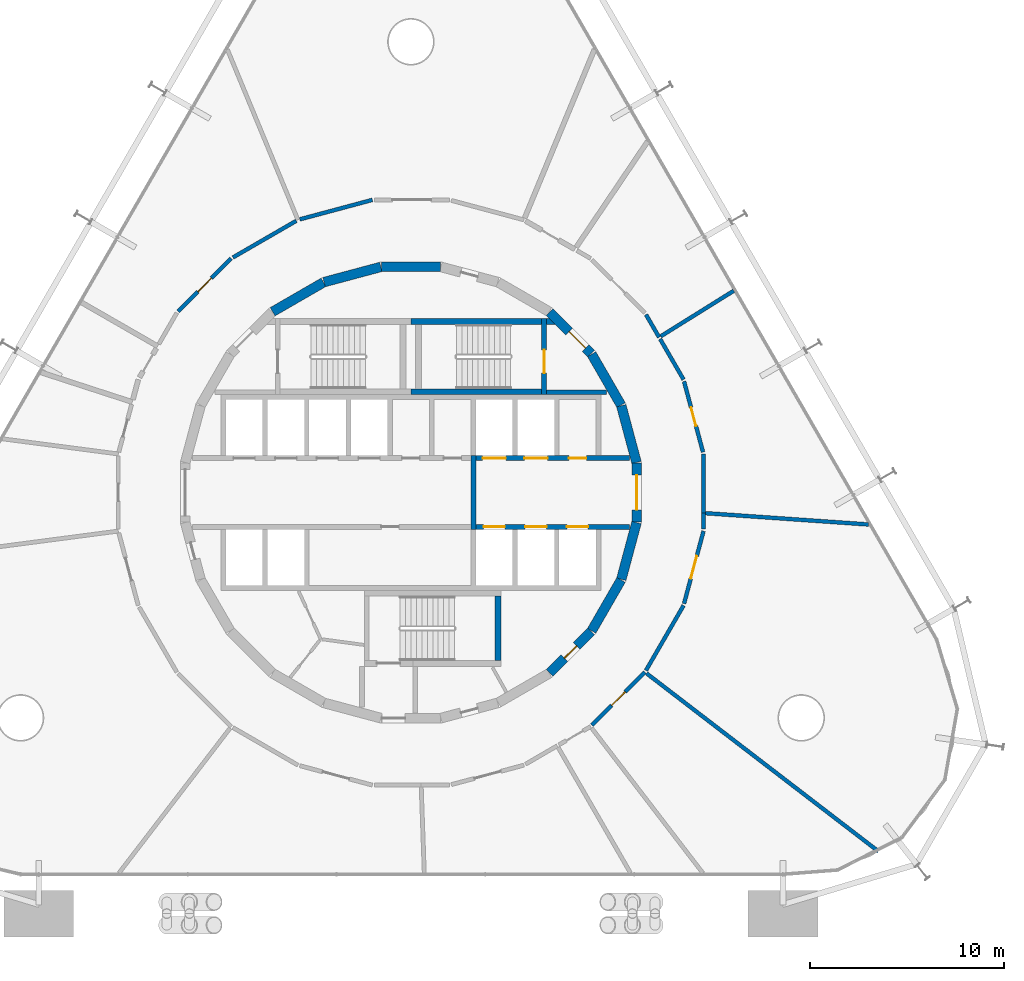
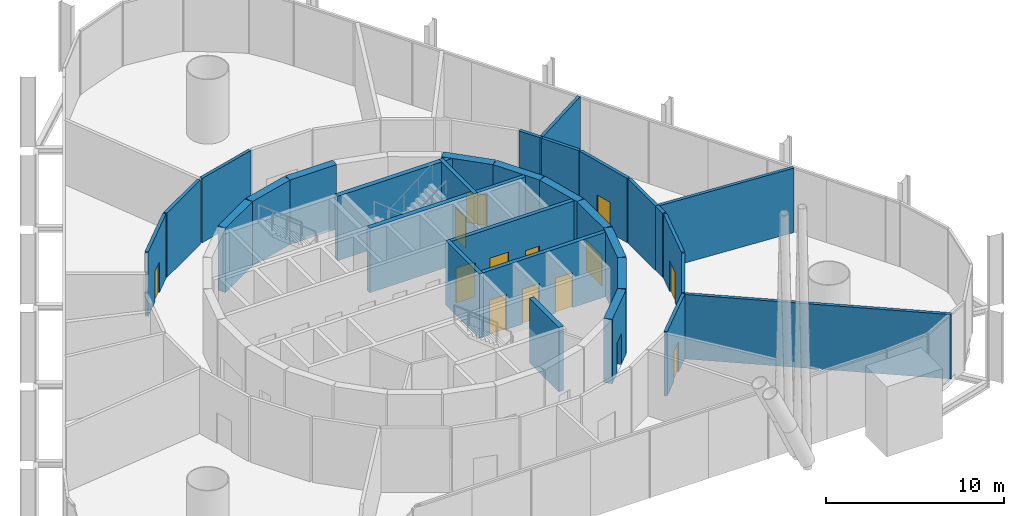
# One storey, part 15 of 17: 33 walls, 14 doors, 14 openings.
"""IFC4 building model written with IfcOpenShell, lengths in metres."""

from ifc_helpers import new_model, si_unit, direction, frame, frame_2d, origin, place, context, subcontext, project, spatial, polyline, rectangle, outline, extrude, material, layer, layer_set, type_object, element, fill, save


model = new_model("IFC4")

# Units and contexts
model_context = context("Model", 3, precision=1e-05, world=origin(), true_north=direction((0.0, 1.0)))
body_context = subcontext(model_context, "Body", "Model", "MODEL_VIEW")
ifc_project = project(units=[si_unit("LENGTHUNIT", "METRE"), si_unit("AREAUNIT", "SQUARE_METRE"), si_unit("VOLUMEUNIT", "CUBIC_METRE"), si_unit("PLANEANGLEUNIT", "RADIAN"), si_unit("MASSUNIT", "GRAM", prefix="KILO")], contexts=[model_context])

# Site, building, storey
site_placement = place(None, origin())
site = spatial("IfcSite", under=ifc_project, at=site_placement, CompositionType="ELEMENT")
building_placement = place(site_placement, origin())
building = spatial("IfcBuilding", under=site, at=building_placement, Name="Spindle Arch Residences", CompositionType="ELEMENT")
storey_placement = place(building_placement, frame((0.0, 0.0, 13.800048828125)))
storey = spatial("IfcBuildingStorey", under=building, at=storey_placement, Name="L02", CompositionType="ELEMENT", Elevation=13.800048828125)

# Wall, opening, door
ifc_material_1 = material(Name="Concrete C50/60", Category="concrete")
ifc_layer_1 = layer(ifc_material_1, 0.5)
ifc_layer_set_1 = layer_set([ifc_layer_1], Name="Core outline wall 500")
wall_type_1 = type_object("IfcWallType", Name="Core outline wall 500", PredefinedType="SHEAR", material=ifc_layer_set_1)
wall_1_placement = place(storey_placement, frame((7.163818359375, -9.30810546875, 0.0), z_axis=(0.0, 0.0, 1.0), x_axis=(0.707106781187, 0.707106781187, 0.0)))
wall_1 = element("IfcWall", 1, at=wall_1_placement, inside=storey, type_object=wall_type_1, Name="Core outline wall 3", PredefinedType="SHEAR", context=body_context, shape_type="SweptSolid", body=[
    extrude(rectangle(XDim=3.032470703125, YDim=0.5, at=frame_2d((1.51611328125, 0.0))), origin(), (0.0, 0.0, 1.0), 4.419921875),
])
opening_1_placement = place(wall_1_placement, frame((1.06640625, 0.0, 0.0)))
opening_1 = element("IfcOpeningElement", 2, at=opening_1_placement, cuts=wall_1, Name="Opening L02-WD07", PredefinedType="OPENING", context=body_context, shape_type="SweptSolid", body=[
    extrude(rectangle(XDim=0.89990234375, YDim=2.10009765625, at=frame_2d((0.449951171875, 1.050048828125))), frame((0.0, 0.260009765625, 0.0), z_axis=(0.0, -1.0, 0.0), x_axis=(1.0, 0.0, 0.0)), (0.0, 0.0, 1.0), 0.52001953125),
])
ifc_material_2 = material(Name="Steel, fire-resisting door", Category="steel")
door_type_1 = type_object("IfcDoorType", Name="Service room door 900x2100", OperationType="SINGLE_SWING_LEFT", PredefinedType="DOOR", material=ifc_material_2)
door_1_placement = place(opening_1_placement, origin())
door_1 = element("IfcDoor", 3, at=door_1_placement, inside=storey, type_object=door_type_1, Name="Service room door L02-WD07", OperationType="SINGLE_SWING_RIGHT", OverallHeight=2.10009765625, OverallWidth=0.89990234375, PredefinedType="DOOR", context=body_context, shape_type="SweptSolid", body=[
    extrude(rectangle(XDim=0.89990234375, YDim=2.10009765625, at=frame_2d((0.449951171875, 1.050048828125))), frame((0.0, 0.02490234375, 0.0), z_axis=(0.0, -1.0, 0.0), x_axis=(1.0, 0.0, 0.0)), (0.0, 0.0, 1.0), 0.050048828125),
])
fill(opening_1, door_1)

# Walls
for number, where, z_axis, x_axis, name in (
    (4, (9.32861328125, -7.13671875, 0.0), (0.0, 0.0, 1.0), (0.500087131594, 0.865975092491, 0.0), "Core outline wall 4"),
    (5, (10.858154296875, -4.479248046875, 0.0), (0.0, 0.0, 1.0), (0.258734743916, 0.965948410781, 0.0), "Core outline wall 5"),
):
    element("IfcWall", number, at=place(storey_placement, frame(where, z_axis=z_axis, x_axis=x_axis)), inside=storey, type_object=wall_type_1, Name=name, PredefinedType="SHEAR", context=body_context, shape_type="SweptSolid", body=[
        extrude(rectangle(XDim=3.03271484375, YDim=0.5, at=frame_2d((1.516357421875, 0.0))), origin(), (0.0, 0.0, 1.0), 4.419921875),
    ])

# Wall, opening, door
wall_2_placement = place(storey_placement, frame((11.647216796875, -1.516357421875, 0.0), z_axis=(0.0, 0.0, 1.0), x_axis=(0.0, 1.0, 0.0)))
wall_2 = element("IfcWall", 6, at=wall_2_placement, inside=storey, type_object=wall_type_1, Name="Core outline wall 6", PredefinedType="SHEAR", context=body_context, shape_type="SweptSolid", body=[
    extrude(rectangle(XDim=3.03271484375, YDim=0.5, at=frame_2d((1.516357421875, 0.0))), origin(), (0.0, 0.0, 1.0), 4.419921875),
])
opening_2_placement = place(wall_2_placement, frame((0.6162109375, 0.0, 0.0)))
opening_2 = element("IfcOpeningElement", 7, at=opening_2_placement, cuts=wall_2, Name="Opening L02-FE01", PredefinedType="OPENING", context=body_context, shape_type="SweptSolid", body=[
    extrude(rectangle(XDim=1.800048828125, YDim=2.10009765625, at=frame_2d((0.89990234375, 1.050048828125))), frame((0.0, 0.260009765625, 0.0), z_axis=(0.0, -1.0, 0.0), x_axis=(1.0, 0.0, 0.0)), (0.0, 0.0, 1.0), 0.52001953125),
])
ifc_material_3 = material(Name="Steel, fire-resisting door", Category="steel")
door_type_2 = type_object("IfcDoorType", Name="Fire-lift lobby door 1800x2100", OperationType="DOUBLE_DOOR_SINGLE_SWING", PredefinedType="DOOR", material=ifc_material_3)
door_2_placement = place(opening_2_placement, origin())
door_2 = element("IfcDoor", 8, at=door_2_placement, inside=storey, type_object=door_type_2, Name="Fire-lift lobby door L02-FE01", OperationType="DOUBLE_DOOR_SINGLE_SWING", OverallHeight=2.10009765625, OverallWidth=1.800048828125, PredefinedType="DOOR", context=body_context, shape_type="SweptSolid", body=[
    extrude(rectangle(XDim=1.800048828125, YDim=2.10009765625, at=frame_2d((0.89990234375, 1.050048828125))), frame((0.0, 0.02490234375, 0.0), z_axis=(0.0, -1.0, 0.0), x_axis=(1.0, 0.0, 0.0)), (0.0, 0.0, 1.0), 0.050048828125),
])
fill(opening_2, door_2)

# Walls
for number, where, z_axis, x_axis, name in (
    (9, (11.642822265625, 1.5498046875, 0.0), (0.0, 0.0, 1.0), (-0.258734743916, 0.965948410781, 0.0), "Core outline wall 7"),
    (10, (10.84521484375, 4.510498046875, 0.0), (0.0, 0.0, 1.0), (-0.500087131594, 0.865975092491, 0.0), "Core outline wall 8"),
):
    element("IfcWall", number, at=place(storey_placement, frame(where, z_axis=z_axis, x_axis=x_axis)), inside=storey, type_object=wall_type_1, Name=name, PredefinedType="SHEAR", context=body_context, shape_type="SweptSolid", body=[
        extrude(rectangle(XDim=3.03271484375, YDim=0.5, at=frame_2d((1.516357421875, 0.0))), origin(), (0.0, 0.0, 1.0), 4.419921875),
    ])

# Wall, opening, door
wall_3_placement = place(storey_placement, frame((9.30810546875, 7.163818359375, 0.0), z_axis=(0.0, 0.0, 1.0), x_axis=(-0.707106781187, 0.707106781187, 0.0)))
wall_3 = element("IfcWall", 11, at=wall_3_placement, inside=storey, type_object=wall_type_1, Name="Core outline wall 9", PredefinedType="SHEAR", context=body_context, shape_type="SweptSolid", body=[
    extrude(rectangle(XDim=3.032470703125, YDim=0.5, at=frame_2d((1.51611328125, 0.0))), origin(), (0.0, 0.0, 1.0), 4.419921875),
])
opening_3_placement = place(wall_3_placement, frame((0.416259765625, 0.0, 0.0)))
opening_3 = element("IfcOpeningElement", 12, at=opening_3_placement, cuts=wall_3, Name="Opening L02-AD01", PredefinedType="OPENING", context=body_context, shape_type="SweptSolid", body=[
    extrude(rectangle(XDim=1.199951171875, YDim=2.10009765625, at=frame_2d((0.60009765625, 1.050048828125))), frame((0.0, 0.260009765625, 0.0), z_axis=(0.0, -1.0, 0.0), x_axis=(1.0, 0.0, 0.0)), (0.0, 0.0, 1.0), 0.52001953125),
])
ifc_material_4 = material(Name="Steel, fire-resisting door", Category="steel")
door_type_3 = type_object("IfcDoorType", Name="Stair airlock door 1200x2100", OperationType="SINGLE_SWING_LEFT", PredefinedType="DOOR", material=ifc_material_4)
door_3_placement = place(opening_3_placement, origin())
door_3 = element("IfcDoor", 13, at=door_3_placement, inside=storey, type_object=door_type_3, Name="Stair airlock door L02-AD01", OperationType="SINGLE_SWING_RIGHT", OverallHeight=2.10009765625, OverallWidth=1.199951171875, PredefinedType="DOOR", context=body_context, shape_type="SweptSolid", body=[
    extrude(rectangle(XDim=1.199951171875, YDim=2.10009765625, at=frame_2d((0.60009765625, 1.050048828125))), frame((0.0, 0.02490234375, 0.0), z_axis=(0.0, -1.0, 0.0), x_axis=(1.0, 0.0, 0.0)), (0.0, 0.0, 1.0), 0.050048828125),
])
fill(opening_3, door_3)

# Walls
for number, where, z_axis, x_axis, name in (
    (14, (1.516357421875, 11.647216796875, 0.0), (0.0, 0.0, 1.0), (-1.0, 0.0, 0.0), "Core outline wall 12"),
    (15, (-1.5498046875, 11.642822265625, 0.0), (0.0, 0.0, 1.0), (-0.965948410781, -0.258734743916, 0.0), "Core outline wall 13"),
    (16, (-4.510498046875, 10.84521484375, 0.0), (0.0, 0.0, 1.0), (-0.865975092491, -0.500087131594, 0.0), "Core outline wall 14"),
):
    element("IfcWall", number, at=place(storey_placement, frame(where, z_axis=z_axis, x_axis=x_axis)), inside=storey, type_object=wall_type_1, Name=name, PredefinedType="SHEAR", context=body_context, shape_type="SweptSolid", body=[
        extrude(rectangle(XDim=3.03271484375, YDim=0.5, at=frame_2d((1.516357421875, 0.0))), origin(), (0.0, 0.0, 1.0), 4.419921875),
    ])

# Wall, openings, doors
ifc_material_5 = material(Name="Concrete C40/50", Category="concrete")
ifc_layer_2 = layer(ifc_material_5, 0.25)
ifc_layer_set_2 = layer_set([ifc_layer_2], Name="Fire-lift lobby wall 250")
wall_type_2 = type_object("IfcWallType", Name="Fire-lift lobby wall 250", PredefinedType="SHEAR", material=ifc_layer_set_2)
wall_4_placement = place(storey_placement, frame((3.35009765625, 1.77490234375, 0.0), z_axis=(0.0, 0.0, 1.0), x_axis=(1.0, 0.0, 0.0)))
wall_4 = element("IfcWall", 17, at=wall_4_placement, inside=storey, type_object=wall_type_2, Name="Lift shaft front wall NE", PredefinedType="SHEAR", context=body_context, shape_type="SweptSolid", body=[
    extrude(rectangle(XDim=7.929931640625, YDim=0.25, at=frame_2d((3.96484375, 0.0))), origin(), (0.0, 0.0, 1.0), 4.419921875),
])
opening_4_placement = place(wall_4_placement, frame((0.35009765625, 0.0, 0.0)))
opening_4 = element("IfcOpeningElement", 18, at=opening_4_placement, cuts=wall_4, Name="Opening L02-SLD01", PredefinedType="OPENING", context=body_context, shape_type="SweptSolid", body=[
    extrude(rectangle(XDim=1.199951171875, YDim=2.39990234375, at=frame_2d((0.60009765625, 1.199951171875))), frame((0.0, 0.135009765625, 0.0), z_axis=(0.0, -1.0, 0.0), x_axis=(1.0, 0.0, 0.0)), (0.0, 0.0, 1.0), 0.27001953125),
])
opening_5_placement = place(wall_4_placement, frame((2.5, 0.0, 0.0)))
opening_5 = element("IfcOpeningElement", 19, at=opening_5_placement, cuts=wall_4, Name="Opening L02-SLD02", PredefinedType="OPENING", context=body_context, shape_type="SweptSolid", body=[
    extrude(rectangle(XDim=1.199951171875, YDim=2.39990234375, at=frame_2d((0.60009765625, 1.199951171875))), frame((0.0, 0.135009765625, 0.0), z_axis=(0.0, -1.0, 0.0), x_axis=(1.0, 0.0, 0.0)), (0.0, 0.0, 1.0), 0.27001953125),
])
opening_6_placement = place(wall_4_placement, frame((4.800048828125, 0.0, 0.0)))
opening_6 = element("IfcOpeningElement", 20, at=opening_6_placement, cuts=wall_4, Name="Opening L02-WD03", PredefinedType="OPENING", context=body_context, shape_type="SweptSolid", body=[
    extrude(rectangle(XDim=0.89990234375, YDim=2.10009765625, at=frame_2d((0.449951171875, 1.050048828125))), frame((0.0, 0.135009765625, 0.0), z_axis=(0.0, -1.0, 0.0), x_axis=(1.0, 0.0, 0.0)), (0.0, 0.0, 1.0), 0.27001953125),
])
ifc_material_6 = material(Name="Steel, fire-resisting landing door", Category="steel")
door_type_4 = type_object("IfcDoorType", Name="Service lift landing door 1200x2400", OperationType="DOUBLE_DOOR_SLIDING", PredefinedType="DOOR", material=ifc_material_6)
door_4_placement = place(opening_4_placement, origin())
door_4 = element("IfcDoor", 21, at=door_4_placement, inside=storey, type_object=door_type_4, Name="Service lift landing door L02-SLD01", OperationType="DOUBLE_DOOR_SLIDING", OverallHeight=2.39990234375, OverallWidth=1.199951171875, PredefinedType="DOOR", context=body_context, shape_type="SweptSolid", body=[
    extrude(rectangle(XDim=1.199951171875, YDim=2.39990234375, at=frame_2d((0.60009765625, 1.199951171875))), frame((0.0, 0.02490234375, 0.0), z_axis=(0.0, -1.0, 0.0), x_axis=(1.0, 0.0, 0.0)), (0.0, 0.0, 1.0), 0.050048828125),
])
fill(opening_4, door_4)
door_5_placement = place(opening_5_placement, origin())
door_5 = element("IfcDoor", 22, at=door_5_placement, inside=storey, type_object=door_type_4, Name="Service lift landing door L02-SLD02", OperationType="DOUBLE_DOOR_SLIDING", OverallHeight=2.39990234375, OverallWidth=1.199951171875, PredefinedType="DOOR", context=body_context, shape_type="SweptSolid", body=[
    extrude(rectangle(XDim=1.199951171875, YDim=2.39990234375, at=frame_2d((0.60009765625, 1.199951171875))), frame((0.0, 0.02490234375, 0.0), z_axis=(0.0, -1.0, 0.0), x_axis=(1.0, 0.0, 0.0)), (0.0, 0.0, 1.0), 0.050048828125),
])
fill(opening_5, door_5)
door_6_placement = place(opening_6_placement, origin())
door_6 = element("IfcDoor", 23, at=door_6_placement, inside=storey, type_object=door_type_1, Name="Service room door L02-WD03", OperationType="SINGLE_SWING_RIGHT", OverallHeight=2.10009765625, OverallWidth=0.89990234375, PredefinedType="DOOR", context=body_context, shape_type="SweptSolid", body=[
    extrude(rectangle(XDim=0.89990234375, YDim=2.10009765625, at=frame_2d((0.449951171875, 1.050048828125))), frame((0.0, 0.02490234375, 0.0), z_axis=(0.0, -1.0, 0.0), x_axis=(1.0, 0.0, 0.0)), (0.0, 0.0, 1.0), 0.050048828125),
])
fill(opening_6, door_6)

# Wall
wall_5_placement = place(storey_placement, frame((3.22509765625, -1.89990234375, 0.0), z_axis=(0.0, 0.0, 1.0), x_axis=(0.0, 1.0, 0.0)))
element("IfcWall", 24, at=wall_5_placement, inside=storey, type_object=wall_type_2, Name="Fire-fighting lobby partition", PredefinedType="SHEAR", context=body_context, shape_type="SweptSolid", body=[
    extrude(rectangle(XDim=3.7998046875, YDim=0.25, at=frame_2d((1.89990234375, 0.0))), origin(), (0.0, 0.0, 1.0), 4.419921875),
])

# Wall, openings, doors
ifc_material_7 = material(Name="Concrete C50/60", Category="concrete")
ifc_layer_3 = layer(ifc_material_7, 0.25)
ifc_layer_set_3 = layer_set([ifc_layer_3], Name="Fire-lift shaft wall 250")
wall_type_3 = type_object("IfcWallType", Name="Fire-lift shaft wall 250", PredefinedType="SHEAR", material=ifc_layer_set_3)
wall_6_placement = place(storey_placement, frame((3.35009765625, -1.77490234375, 0.0), z_axis=(0.0, 0.0, 1.0), x_axis=(1.0, 0.0, 0.0)))
wall_6 = element("IfcWall", 25, at=wall_6_placement, inside=storey, type_object=wall_type_3, Name="Lift shaft front wall SE", PredefinedType="SHEAR", context=body_context, shape_type="SweptSolid", body=[
    extrude(rectangle(XDim=7.929931640625, YDim=0.25, at=frame_2d((3.96484375, 0.0))), origin(), (0.0, 0.0, 1.0), 4.419921875),
])
opening_7_placement = place(wall_6_placement, frame((0.39990234375, 0.0, 0.0)))
opening_7 = element("IfcOpeningElement", 26, at=opening_7_placement, cuts=wall_6, Name="Opening L02-FLD01", PredefinedType="OPENING", context=body_context, shape_type="SweptSolid", body=[
    extrude(rectangle(XDim=1.10009765625, YDim=2.39990234375, at=frame_2d((0.550048828125, 1.199951171875))), frame((0.0, 0.135009765625, 0.0), z_axis=(0.0, -1.0, 0.0), x_axis=(1.0, 0.0, 0.0)), (0.0, 0.0, 1.0), 0.27001953125),
])
opening_8_placement = place(wall_6_placement, frame((2.550048828125, 0.0, 0.0)))
opening_8 = element("IfcOpeningElement", 27, at=opening_8_placement, cuts=wall_6, Name="Opening L02-FLD02", PredefinedType="OPENING", context=body_context, shape_type="SweptSolid", body=[
    extrude(rectangle(XDim=1.10009765625, YDim=2.39990234375, at=frame_2d((0.550048828125, 1.199951171875))), frame((0.0, 0.135009765625, 0.0), z_axis=(0.0, -1.0, 0.0), x_axis=(1.0, 0.0, 0.0)), (0.0, 0.0, 1.0), 0.27001953125),
])
opening_9_placement = place(wall_6_placement, frame((4.699951171875, 0.0, 0.0)))
opening_9 = element("IfcOpeningElement", 28, at=opening_9_placement, cuts=wall_6, Name="Opening L02-FLD03", PredefinedType="OPENING", context=body_context, shape_type="SweptSolid", body=[
    extrude(rectangle(XDim=1.10009765625, YDim=2.39990234375, at=frame_2d((0.550048828125, 1.199951171875))), frame((0.0, 0.135009765625, 0.0), z_axis=(0.0, -1.0, 0.0), x_axis=(1.0, 0.0, 0.0)), (0.0, 0.0, 1.0), 0.27001953125),
])
ifc_material_8 = material(Name="Steel, fire-resisting landing door", Category="steel")
door_type_5 = type_object("IfcDoorType", Name="Fire-fighting lift landing door 1100x2400", OperationType="DOUBLE_DOOR_SLIDING", PredefinedType="DOOR", material=ifc_material_8)
door_7_placement = place(opening_7_placement, origin())
door_7 = element("IfcDoor", 29, at=door_7_placement, inside=storey, type_object=door_type_5, Name="Fire-fighting lift landing door L02-FLD01", OperationType="DOUBLE_DOOR_SLIDING", OverallHeight=2.39990234375, OverallWidth=1.10009765625, PredefinedType="DOOR", context=body_context, shape_type="SweptSolid", body=[
    extrude(rectangle(XDim=1.10009765625, YDim=2.39990234375, at=frame_2d((0.550048828125, 1.199951171875))), frame((0.0, 0.02490234375, 0.0), z_axis=(0.0, -1.0, 0.0), x_axis=(1.0, 0.0, 0.0)), (0.0, 0.0, 1.0), 0.050048828125),
])
fill(opening_7, door_7)
door_8_placement = place(opening_8_placement, origin())
door_8 = element("IfcDoor", 30, at=door_8_placement, inside=storey, type_object=door_type_5, Name="Fire-fighting lift landing door L02-FLD02", OperationType="DOUBLE_DOOR_SLIDING", OverallHeight=2.39990234375, OverallWidth=1.10009765625, PredefinedType="DOOR", context=body_context, shape_type="SweptSolid", body=[
    extrude(rectangle(XDim=1.10009765625, YDim=2.39990234375, at=frame_2d((0.550048828125, 1.199951171875))), frame((0.0, 0.02490234375, 0.0), z_axis=(0.0, -1.0, 0.0), x_axis=(1.0, 0.0, 0.0)), (0.0, 0.0, 1.0), 0.050048828125),
])
fill(opening_8, door_8)
door_9_placement = place(opening_9_placement, origin())
door_9 = element("IfcDoor", 31, at=door_9_placement, inside=storey, type_object=door_type_5, Name="Fire-fighting lift landing door L02-FLD03", OperationType="DOUBLE_DOOR_SLIDING", OverallHeight=2.39990234375, OverallWidth=1.10009765625, PredefinedType="DOOR", context=body_context, shape_type="SweptSolid", body=[
    extrude(rectangle(XDim=1.10009765625, YDim=2.39990234375, at=frame_2d((0.550048828125, 1.199951171875))), frame((0.0, 0.02490234375, 0.0), z_axis=(0.0, -1.0, 0.0), x_axis=(1.0, 0.0, 0.0)), (0.0, 0.0, 1.0), 0.050048828125),
])
fill(opening_9, door_9)

# Wall, opening, door
ifc_material_9 = material(Name="Gypsum board partition on steel studs", Category="steel")
ifc_layer_4 = layer(ifc_material_9, 0.199951171875)
ifc_layer_set_4 = layer_set([ifc_layer_4], Name="Partition EI 60 200 amenity")
wall_type_4 = type_object("IfcWallType", Name="Partition EI 60 200 amenity", PredefinedType="PARTITIONING", material=ifc_layer_set_4)
wall_7_placement = place(storey_placement, frame((-9.27001953125, 12.080078125, 0.0), z_axis=(0.0, 0.0, 1.0), x_axis=(-0.707106781187, -0.707106781187, 0.0)))
wall_7 = element("IfcWall", 32, at=wall_7_placement, inside=storey, type_object=wall_type_4, Name="L02-W015", PredefinedType="PARTITIONING", context=body_context, shape_type="SweptSolid", body=[
    extrude(rectangle(XDim=3.873779296875, YDim=0.199951171875, at=frame_2d((1.93701171875, 0.0))), origin(), (0.0, 0.0, 1.0), 4.419921875),
])
opening_10_placement = place(wall_7_placement, frame((1.43701171875, 0.0, 0.0)))
opening_10 = element("IfcOpeningElement", 33, at=opening_10_placement, cuts=wall_7, Name="Opening L02-D12", PredefinedType="OPENING", context=body_context, shape_type="SweptSolid", body=[
    extrude(rectangle(XDim=1.0, YDim=2.10009765625, at=frame_2d((0.5, 1.050048828125))), frame((0.0, 0.10986328125, 0.0), z_axis=(0.0, -1.0, 0.0), x_axis=(1.0, 0.0, 0.0)), (0.0, 0.0, 1.0), 0.219970703125),
])
ifc_material_10 = material(Name="Timber door leaf", Category="wood")
door_type_6 = type_object("IfcDoorType", Name="Door 1000x2100 EI 30", OperationType="SINGLE_SWING_LEFT", PredefinedType="DOOR", material=ifc_material_10)
door_10_placement = place(opening_10_placement, origin())
door_10 = element("IfcDoor", 34, at=door_10_placement, inside=storey, type_object=door_type_6, Name="L02-D12", OperationType="SINGLE_SWING_LEFT", OverallHeight=2.10009765625, OverallWidth=1.0, PredefinedType="DOOR", context=body_context, shape_type="SweptSolid", body=[
    extrude(rectangle(XDim=1.0, YDim=2.10009765625, at=frame_2d((0.5, 1.050048828125))), frame((0.0, 0.02490234375, 0.0), z_axis=(0.0, -1.0, 0.0), x_axis=(1.0, 0.0, 0.0)), (0.0, 0.0, 1.0), 0.050048828125),
])
fill(opening_10, door_10)

# Walls
wall_8_placement = place(storey_placement, frame((-5.91650390625, 14.02001953125, 0.0), z_axis=(0.0, 0.0, 1.0), x_axis=(-0.865591582237, -0.500750649286, 0.0)))
element("IfcWall", 35, at=wall_8_placement, inside=storey, type_object=wall_type_4, Name="L02-W018", PredefinedType="PARTITIONING", context=body_context, shape_type="SweptSolid", body=[
    extrude(rectangle(XDim=3.774169921875, YDim=0.199951171875, at=frame_2d((1.88720703125, 0.0))), origin(), (0.0, 0.0, 1.0), 4.419921875),
])
wall_9_placement = place(storey_placement, frame((-1.989990234375, 15.10009765625, 0.0), z_axis=(0.0, 0.0, 1.0), x_axis=(-0.96585437197, -0.259085569159, 0.0)))
element("IfcWall", 36, at=wall_9_placement, inside=storey, type_object=wall_type_4, Name="L02-W020", PredefinedType="PARTITIONING", context=body_context, shape_type="SweptSolid", body=[
    extrude(rectangle(XDim=3.875732421875, YDim=0.199951171875, at=frame_2d((1.93798828125, 0.0))), origin(), (0.0, 0.0, 1.0), 4.419921875),
])

# Wall, opening, door
wall_10_placement = place(storey_placement, frame((9.3408203125, -12.00927734375, 0.0), z_axis=(0.0, 0.0, 1.0), x_axis=(0.707106781187, 0.707106781187, 0.0)))
wall_10 = element("IfcWall", 37, at=wall_10_placement, inside=storey, type_object=wall_type_4, Name="L02-W031", PredefinedType="PARTITIONING", context=body_context, shape_type="SweptSolid", body=[
    extrude(rectangle(XDim=3.873779296875, YDim=0.199951171875, at=frame_2d((1.93701171875, 0.0))), origin(), (0.0, 0.0, 1.0), 4.419921875),
])
opening_11_placement = place(wall_10_placement, frame((1.43701171875, 0.0, 0.0)))
opening_11 = element("IfcOpeningElement", 38, at=opening_11_placement, cuts=wall_10, Name="Opening L02-D04", PredefinedType="OPENING", context=body_context, shape_type="SweptSolid", body=[
    extrude(rectangle(XDim=1.0, YDim=2.10009765625, at=frame_2d((0.5, 1.050048828125))), frame((0.0, 0.10986328125, 0.0), z_axis=(0.0, -1.0, 0.0), x_axis=(1.0, 0.0, 0.0)), (0.0, 0.0, 1.0), 0.219970703125),
])
door_11_placement = place(opening_11_placement, origin())
door_11 = element("IfcDoor", 39, at=door_11_placement, inside=storey, type_object=door_type_6, Name="L02-D04", OperationType="SINGLE_SWING_LEFT", OverallHeight=2.10009765625, OverallWidth=1.0, PredefinedType="DOOR", context=body_context, shape_type="SweptSolid", body=[
    extrude(rectangle(XDim=1.0, YDim=2.10009765625, at=frame_2d((0.5, 1.050048828125))), frame((0.0, 0.02490234375, 0.0), z_axis=(0.0, -1.0, 0.0), x_axis=(1.0, 0.0, 0.0)), (0.0, 0.0, 1.0), 0.050048828125),
])
fill(opening_11, door_11)

# Walls
wall_11_placement = place(storey_placement, frame((12.130126953125, -9.183349609375, 0.0), z_axis=(0.0, 0.0, 1.0), x_axis=(0.500760497952, 0.865585884642, 0.0)))
element("IfcWall", 40, at=wall_11_placement, inside=storey, type_object=wall_type_4, Name="L02-W035", PredefinedType="PARTITIONING", context=body_context, shape_type="SweptSolid", body=[
    extrude(rectangle(XDim=3.8740234375, YDim=0.199951171875, at=frame_2d((1.93701171875, 0.0))), origin(), (0.0, 0.0, 1.0), 4.419921875),
])
wall_12_placement = place(storey_placement, frame((12.159423828125, -9.330810546875, 0.0), z_axis=(0.0, 0.0, 1.0), x_axis=(0.793226820575, -0.608926277246, 0.0)))
element("IfcWall", 41, at=wall_12_placement, inside=storey, type_object=wall_type_4, Name="L02-W036", PredefinedType="PARTITIONING", context=body_context, shape_type="SweptSolid", body=[
    extrude(rectangle(XDim=15.0908203125, YDim=0.199951171875, at=frame_2d((7.54541015625, 0.0))), origin(), (0.0, 0.0, 1.0), 4.419921875),
])
wall_13_placement = place(storey_placement, frame((12.81005859375, 8.010009765625, 0.0), z_axis=(0.0, 0.0, 1.0), x_axis=(-0.501305875941, 0.865270142064, 0.0)))
element("IfcWall", 42, at=wall_13_placement, inside=storey, type_object=wall_type_4, Name="L02-W038", PredefinedType="PARTITIONING", context=body_context, shape_type="SweptSolid", body=[
    extrude(rectangle(XDim=1.356201171875, YDim=0.199951171875, at=frame_2d((0.67822265625, 0.0))), origin(), (0.0, 0.0, 1.0), 4.419921875),
])
wall_14_placement = place(storey_placement, frame((12.894775390625, 8.06298828125, 0.0), z_axis=(0.0, 0.0, 1.0), x_axis=(0.848634527268, 0.528979620712, 0.0)))
element("IfcWall", 43, at=wall_14_placement, inside=storey, type_object=wall_type_4, Name="L02-W039", PredefinedType="PARTITIONING", context=body_context, shape_type="SweptSolid", body=[
    extrude(rectangle(XDim=4.436767578125, YDim=0.199951171875, at=frame_2d((2.21826171875, 0.0))), origin(), (0.0, 0.0, 1.0), 4.419921875),
])

# Wall, opening, door
wall_15_placement = place(storey_placement, frame((14.095947265625, -5.7333984375, 0.0), z_axis=(0.0, 0.0, 1.0), x_axis=(0.259085569159, 0.96585437197, 0.0)))
wall_15 = element("IfcWall", 44, at=wall_15_placement, inside=storey, type_object=wall_type_4, Name="L02-W040", PredefinedType="PARTITIONING", context=body_context, shape_type="SweptSolid", body=[
    extrude(rectangle(XDim=3.875732421875, YDim=0.199951171875, at=frame_2d((1.93798828125, 0.0))), origin(), (0.0, 0.0, 1.0), 4.419921875),
])
opening_12_placement = place(wall_15_placement, frame((1.337890625, 0.0, 0.0)))
opening_12 = element("IfcOpeningElement", 45, at=opening_12_placement, cuts=wall_15, Name="Opening L02-D06", PredefinedType="OPENING", context=body_context, shape_type="SweptSolid", body=[
    extrude(rectangle(XDim=1.199951171875, YDim=2.10009765625, at=frame_2d((0.60009765625, 1.050048828125))), frame((0.0, 0.10986328125, 0.0), z_axis=(0.0, -1.0, 0.0), x_axis=(1.0, 0.0, 0.0)), (0.0, 0.0, 1.0), 0.219970703125),
])
ifc_material_11 = material(Name="Timber door leaf", Category="wood")
door_type_7 = type_object("IfcDoorType", Name="Door 1200x2100 EI 30", OperationType="SINGLE_SWING_LEFT", PredefinedType="DOOR", material=ifc_material_11)
door_12_placement = place(opening_12_placement, origin())
door_12 = element("IfcDoor", 46, at=door_12_placement, inside=storey, type_object=door_type_7, Name="L02-D06", OperationType="SINGLE_SWING_LEFT", OverallHeight=2.10009765625, OverallWidth=1.199951171875, PredefinedType="DOOR", context=body_context, shape_type="SweptSolid", body=[
    extrude(rectangle(XDim=1.199951171875, YDim=2.10009765625, at=frame_2d((0.60009765625, 1.050048828125))), frame((0.0, 0.02490234375, 0.0), z_axis=(0.0, -1.0, 0.0), x_axis=(1.0, 0.0, 0.0)), (0.0, 0.0, 1.0), 0.050048828125),
])
fill(opening_12, door_12)

# Walls
wall_16_placement = place(storey_placement, frame((14.070068359375, 5.830078125, 0.0), z_axis=(0.0, 0.0, 1.0), x_axis=(-0.500439091614, 0.865771745661, 0.0)))
element("IfcWall", 47, at=wall_16_placement, inside=storey, type_object=wall_type_4, Name="L02-W041", PredefinedType="PARTITIONING", context=body_context, shape_type="SweptSolid", body=[
    extrude(rectangle(XDim=2.417724609375, YDim=0.199951171875, at=frame_2d((1.208984375, 0.0))), origin(), (0.0, 0.0, 1.0), 4.419921875),
])
wall_17_placement = place(storey_placement, frame((15.10009765625, -1.889892578125, 0.0), z_axis=(0.0, 0.0, 1.0), x_axis=(0.0, 1.0, 0.0)))
element("IfcWall", 48, at=wall_17_placement, inside=storey, type_object=wall_type_4, Name="L02-W042", PredefinedType="PARTITIONING", context=body_context, shape_type="SweptSolid", body=[
    extrude(rectangle(XDim=0.829833984375, YDim=0.199951171875, at=frame_2d((0.4150390625, 0.0))), origin(), (0.0, 0.0, 1.0), 4.419921875),
])
wall_18_placement = place(storey_placement, frame((15.10009765625, -1.06005859375, 0.0), z_axis=(0.0, 0.0, 1.0), x_axis=(0.0, 1.0, 0.0)))
element("IfcWall", 49, at=wall_18_placement, inside=storey, type_object=wall_type_4, Name="L02-W043", PredefinedType="PARTITIONING", context=body_context, shape_type="SweptSolid", body=[
    extrude(rectangle(XDim=3.050048828125, YDim=0.199951171875, at=frame_2d((1.52490234375, 0.0))), origin(), (0.0, 0.0, 1.0), 4.419921875),
])
wall_19_placement = place(storey_placement, frame((15.19970703125, -1.06689453125, 0.0), z_axis=(0.0, 0.0, 1.0), x_axis=(0.997611670562, -0.069072098269, 0.0)))
element("IfcWall", 50, at=wall_19_placement, inside=storey, type_object=wall_type_4, Name="L02-W044", PredefinedType="PARTITIONING", context=body_context, shape_type="SweptSolid", body=[
    extrude(rectangle(XDim=8.440673828125, YDim=0.199951171875, at=frame_2d((4.22021484375, 0.0))), origin(), (0.0, 0.0, 1.0), 4.419921875),
])

# Wall, opening, door
wall_20_placement = place(storey_placement, frame((15.073974609375, 2.086669921875, 0.0), z_axis=(0.0, 0.0, 1.0), x_axis=(-0.259038819442, 0.965866911133, 0.0)))
wall_20 = element("IfcWall", 51, at=wall_20_placement, inside=storey, type_object=wall_type_4, Name="L02-W045", PredefinedType="PARTITIONING", context=body_context, shape_type="SweptSolid", body=[
    extrude(rectangle(XDim=3.775634765625, YDim=0.199951171875, at=frame_2d((1.8876953125, 0.0))), origin(), (0.0, 0.0, 1.0), 4.419921875),
])
opening_13_placement = place(wall_20_placement, frame((1.387939453125, 0.0, 0.0)))
opening_13 = element("IfcOpeningElement", 52, at=opening_13_placement, cuts=wall_20, Name="Opening L02-D08", PredefinedType="OPENING", context=body_context, shape_type="SweptSolid", body=[
    extrude(rectangle(XDim=1.0, YDim=2.10009765625, at=frame_2d((0.5, 1.050048828125))), frame((0.0, 0.10986328125, 0.0), z_axis=(0.0, -1.0, 0.0), x_axis=(1.0, 0.0, 0.0)), (0.0, 0.0, 1.0), 0.219970703125),
])
door_13_placement = place(opening_13_placement, origin())
door_13 = element("IfcDoor", 53, at=door_13_placement, inside=storey, type_object=door_type_6, Name="L02-D08", OperationType="SINGLE_SWING_LEFT", OverallHeight=2.10009765625, OverallWidth=1.0, PredefinedType="DOOR", context=body_context, shape_type="SweptSolid", body=[
    extrude(rectangle(XDim=1.0, YDim=2.10009765625, at=frame_2d((0.5, 1.050048828125))), frame((0.0, 0.02490234375, 0.0), z_axis=(0.0, -1.0, 0.0), x_axis=(1.0, 0.0, 0.0)), (0.0, 0.0, 1.0), 0.050048828125),
])
fill(opening_13, door_13)

# Walls
ifc_material_12 = material(Name="Concrete C40/50", Category="concrete")
ifc_layer_5 = layer(ifc_material_12, 0.25)
ifc_layer_set_5 = layer_set([ifc_layer_5], Name="Stair airlock wall 250")
wall_type_5 = type_object("IfcWallType", Name="Stair airlock wall 250", PredefinedType="SHEAR", material=ifc_layer_set_5)
wall_21_placement = place(storey_placement, frame((7.0, 5.175048828125, 0.0), z_axis=(0.0, 0.0, 1.0), x_axis=(1.0, 0.0, 0.0)))
element("IfcWall", 54, at=wall_21_placement, inside=storey, type_object=wall_type_5, Name="Stair ST-1 airlock wall S", PredefinedType="SHEAR", context=body_context, shape_type="SweptSolid", body=[
    extrude(rectangle(XDim=3.10009765625, YDim=0.25, at=frame_2d((1.550048828125, 0.0))), origin(), (0.0, 0.0, 1.0), 4.419921875),
])
ifc_material_13 = material(Name="Concrete C40/50", Category="concrete")
wall_type_6 = type_object("IfcWallType", Name="Stair airlock wall profile", PredefinedType="SHEAR", material=ifc_material_13)
wall_22_placement = place(storey_placement, origin())
element("IfcWall", 55, at=wall_22_placement, inside=storey, type_object=wall_type_6, Name="Stair ST-1 airlock wall N", PredefinedType="SHEAR", context=body_context, shape_type="SweptSolid", body=[
    extrude(outline(polyline([(7.4482421875, 8.669921875), (7.0, 8.669921875), (7.0, 8.969970703125), (7.148193359375, 8.969970703125), (7.4482421875, 8.669921875)])), origin(), (0.0, 0.0, 1.0), 4.419921875),
])

# Wall, opening, door
ifc_material_14 = material(Name="Concrete C50/60", Category="concrete")
ifc_layer_6 = layer(ifc_material_14, 0.25)
ifc_layer_set_6 = layer_set([ifc_layer_6], Name="Stair enclosure wall 250")
wall_type_7 = type_object("IfcWallType", Name="Stair enclosure wall 250", PredefinedType="SHEAR", material=ifc_layer_set_6)
wall_23_placement = place(storey_placement, frame((6.875, 5.050048828125, 0.0), z_axis=(0.0, 0.0, 1.0), x_axis=(0.0, 1.0, 0.0)))
wall_23 = element("IfcWall", 56, at=wall_23_placement, inside=storey, type_object=wall_type_7, Name="Stair ST-1 door wall", PredefinedType="SHEAR", context=body_context, shape_type="SweptSolid", body=[
    extrude(rectangle(XDim=3.919921875, YDim=0.25, at=frame_2d((1.9599609375, 0.0))), origin(), (0.0, 0.0, 1.0), 4.419921875),
])
opening_14_placement = place(wall_23_placement, frame((1.110107421875, 0.0, 0.0)))
opening_14 = element("IfcOpeningElement", 57, at=opening_14_placement, cuts=wall_23, Name="Opening L02-SD01", PredefinedType="OPENING", context=body_context, shape_type="SweptSolid", body=[
    extrude(rectangle(XDim=1.199951171875, YDim=2.10009765625, at=frame_2d((0.60009765625, 1.050048828125))), frame((0.0, 0.135009765625, 0.0), z_axis=(0.0, -1.0, 0.0), x_axis=(1.0, 0.0, 0.0)), (0.0, 0.0, 1.0), 0.27001953125),
])
ifc_material_15 = material(Name="Steel, fire-resisting door", Category="steel")
door_type_8 = type_object("IfcDoorType", Name="Stair door 1200x2100", OperationType="SINGLE_SWING_RIGHT", PredefinedType="DOOR", material=ifc_material_15)
door_14_placement = place(opening_14_placement, origin())
door_14 = element("IfcDoor", 58, at=door_14_placement, inside=storey, type_object=door_type_8, Name="Stair door L02-SD01", OperationType="SINGLE_SWING_LEFT", OverallHeight=2.10009765625, OverallWidth=1.199951171875, PredefinedType="DOOR", context=body_context, shape_type="SweptSolid", body=[
    extrude(rectangle(XDim=1.199951171875, YDim=2.10009765625, at=frame_2d((0.60009765625, 1.050048828125))), frame((0.0, 0.02490234375, 0.0), z_axis=(0.0, -1.0, 0.0), x_axis=(1.0, 0.0, 0.0)), (0.0, 0.0, 1.0), 0.050048828125),
])
fill(opening_14, door_14)

# Walls
ifc_material_16 = material(Name="Concrete C50/60", Category="concrete")
ifc_layer_7 = layer(ifc_material_16, 0.300048828125)
ifc_layer_set_7 = layer_set([ifc_layer_7], Name="Stair enclosure wall 300")
wall_type_8 = type_object("IfcWallType", Name="Stair enclosure wall 300", PredefinedType="SHEAR", material=ifc_layer_set_7)
for number, where, z_axis, x_axis, name in (
    (59, (0.0, 5.199951171875, 0.0), (0.0, 0.0, 1.0), (1.0, 0.0, 0.0), "Stair ST-1 enclosure wall S"),
    (60, (0.0, 8.820068359375, 0.0), (0.0, 0.0, 1.0), (1.0, 0.0, 0.0), "Stair ST-1 enclosure wall N"),
):
    element("IfcWall", number, at=place(storey_placement, frame(where, z_axis=z_axis, x_axis=x_axis)), inside=storey, type_object=wall_type_8, Name=name, PredefinedType="SHEAR", context=body_context, shape_type="SweptSolid", body=[
        extrude(rectangle(XDim=6.75, YDim=0.300048828125, at=frame_2d((3.375, 0.0))), origin(), (0.0, 0.0, 1.0), 4.419921875),
    ])
wall_24_placement = place(storey_placement, frame((4.5, -8.669921875, 0.0), z_axis=(0.0, 0.0, 1.0), x_axis=(0.0, 1.0, 0.0)))
element("IfcWall", 61, at=wall_24_placement, inside=storey, type_object=wall_type_8, Name="Stair ST-3 enclosure wall E", PredefinedType="SHEAR", context=body_context, shape_type="SweptSolid", body=[
    extrude(rectangle(XDim=3.31982421875, YDim=0.300048828125, at=frame_2d((1.659912109375, 0.0))), origin(), (0.0, 0.0, 1.0), 4.419921875),
])

save(model, "model.ifc")
